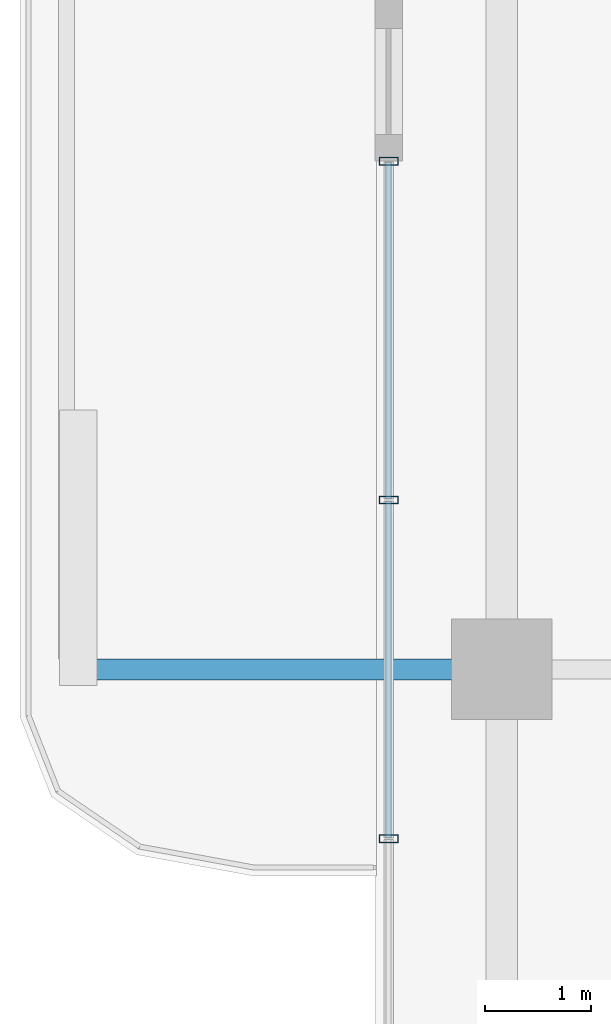
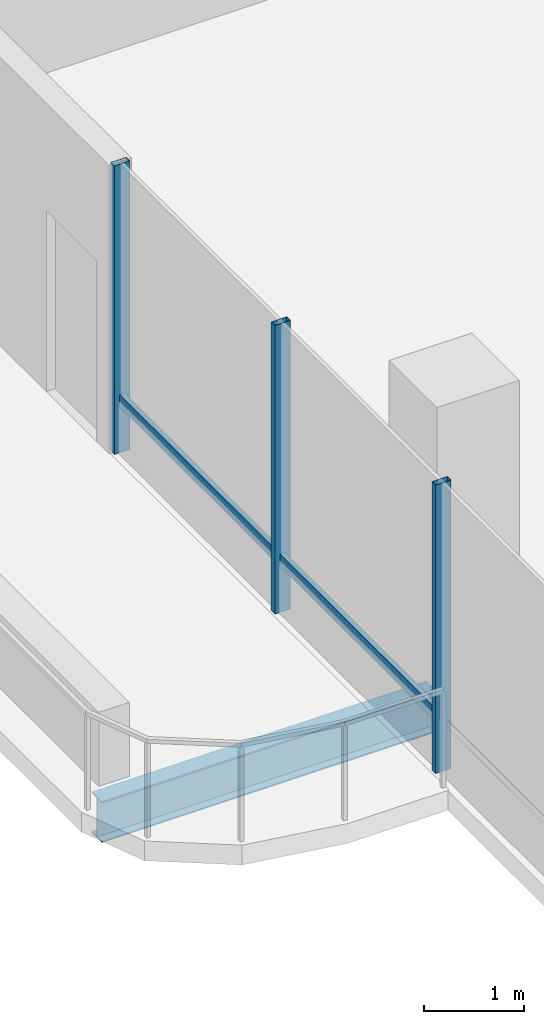
# One storey, part 6 of 17: 5 members, 1 beam, 1 element without a shape of its own.
"""IFC4 building model written with IfcOpenShell, lengths in metres."""

from ifc_helpers import new_model, si_unit, direction, frame, origin, origin_2d, place, context, subcontext, project, spatial, hollow_rectangle, i_section, extrude, material, layer, layer_set, material_profile, profile_set, type_object, element, aggregate, save


model = new_model("IFC4")

# Units and contexts
model_context = context("Model", 3, precision=1e-05, world=origin(), true_north=direction((0.0, 1.0)))
body_context = subcontext(model_context, "Body", "Model", "MODEL_VIEW")
ifc_project = project(units=[si_unit("LENGTHUNIT", "METRE"), si_unit("AREAUNIT", "SQUARE_METRE"), si_unit("VOLUMEUNIT", "CUBIC_METRE"), si_unit("PLANEANGLEUNIT", "RADIAN"), si_unit("MASSUNIT", "GRAM", prefix="KILO")], contexts=[model_context])

# Site, building, storey
site_placement = place(None, origin())
site = spatial("IfcSite", under=ifc_project, at=site_placement, CompositionType="ELEMENT")
building_placement = place(site_placement, origin())
building = spatial("IfcBuilding", under=site, at=building_placement, Name="Belovzor Exchange Tower", CompositionType="ELEMENT")
storey_placement = place(building_placement, frame((0.0, 0.0, 303.0)))
storey = spatial("IfcBuildingStorey", under=building, at=storey_placement, Name="L75", CompositionType="ELEMENT", Elevation=303.0)

# Beam
ifc_material_1 = material(Name="Steel S355", Category="steel")
ifc_material_profile_1 = material_profile(ifc_material_1, i_section(OverallWidth=0.199951171875, OverallDepth=0.5, WebThickness=0.01025390625, FlangeThickness=0.01611328125, at=origin_2d()))
ifc_profile_set_1 = profile_set([ifc_material_profile_1], Name="Steel S355")
beam_type = type_object("IfcBeamType", Name="Planted Balcony Cantilever Beam IPE 500", PredefinedType="BEAM", material=ifc_profile_set_1)
beam_placement = place(storey_placement, frame((6.93896484375, 28.800048828125, -0.489990234375), z_axis=(-1.0, 0.0, 0.0), x_axis=(0.0, -1.0, 0.0)))
element("IfcBeam", 1, at=beam_placement, inside=storey, type_object=beam_type, Name="BC-500 Planted Balcony Cantilever Beam IPE 500", PredefinedType="BEAM", context=body_context, shape_type="SweptSolid", body=[
    extrude(i_section(OverallWidth=0.199951171875, OverallDepth=0.5, WebThickness=0.01025390625, FlangeThickness=0.01611328125, at=origin_2d()), origin(), (0.0, 0.0, 1.0), 3.849853515625),
])

# Curtain wall, members
ifc_material_2 = material(Name="Anodised Aluminium Framing", Category="aluminium")
ifc_layer = layer(ifc_material_2, 0.179931640625)
ifc_layer_set = layer_set([ifc_layer], Name="Anodised Aluminium Framing")
curtain_wall_type = type_object("IfcCurtainWallType", Name="Recessed Loggia Low-Iron Triple-Glazed Curtain Wall", PredefinedType="NOTDEFINED", material=ifc_layer_set)
curtain_wall_placement = place(storey_placement, origin())
curtain_wall = element("IfcCurtainWall", 2, at=curtain_wall_placement, inside=storey, type_object=curtain_wall_type, Name="CW3 Recessed Loggia Low-Iron Triple-Glazed Curtain Wall L75", PredefinedType="NOTDEFINED")
ifc_material_3 = material(Name="Steel S355", Category="steel")
ifc_material_profile_2 = material_profile(ifc_material_3, hollow_rectangle(XDim=0.074951171875, YDim=0.179931640625, WallThickness=0.0048828125, at=origin_2d()))
ifc_profile_set_2 = profile_set([ifc_material_profile_2], Name="Steel S355")
member_type_1 = type_object("IfcMemberType", Name="Thermally Broken Curtain Wall Mullion 180x75", PredefinedType="MULLION", material=ifc_profile_set_2)
member_1_placement = place(storey_placement, frame((6.1298828125, 27.199951171875, 0.0), z_axis=(0.0, 0.0, 1.0), x_axis=(0.0, 1.0, 0.0)))
member_1 = element("IfcMember", 3, at=member_1_placement, type_object=member_type_1, Name="CW-M180 Curtain Wall Mullion 2", PredefinedType="MULLION", context=body_context, shape_type="SweptSolid", body=[
    extrude(hollow_rectangle(XDim=0.074951171875, YDim=0.179931640625, WallThickness=0.0048828125, at=origin_2d()), origin(), (0.0, 0.0, 1.0), 3.510009765625),
])
member_2_placement = place(storey_placement, frame((6.1298828125, 30.39990234375, 0.0), z_axis=(0.0, 0.0, 1.0), x_axis=(0.0, 1.0, 0.0)))
member_2 = element("IfcMember", 4, at=member_2_placement, type_object=member_type_1, Name="CW-M180 Curtain Wall Mullion 3", PredefinedType="MULLION", context=body_context, shape_type="SweptSolid", body=[
    extrude(hollow_rectangle(XDim=0.074951171875, YDim=0.179931640625, WallThickness=0.0048828125, at=origin_2d()), origin(), (0.0, 0.0, 1.0), 3.510009765625),
])
member_3_placement = place(storey_placement, frame((6.1298828125, 33.60009765625, 0.0), z_axis=(0.0, 0.0, 1.0), x_axis=(0.0, 1.0, 0.0)))
member_3 = element("IfcMember", 5, at=member_3_placement, type_object=member_type_1, Name="CW-M180 Curtain Wall Mullion 4", PredefinedType="MULLION", context=body_context, shape_type="SweptSolid", body=[
    extrude(hollow_rectangle(XDim=0.074951171875, YDim=0.179931640625, WallThickness=0.0048828125, at=origin_2d()), origin(), (0.0, 0.0, 1.0), 3.510009765625),
])
ifc_material_4 = material(Name="Steel S355", Category="steel")
ifc_material_profile_3 = material_profile(ifc_material_4, hollow_rectangle(XDim=0.06005859375, YDim=0.14990234375, WallThickness=0.00390625, at=origin_2d()))
ifc_profile_set_3 = profile_set([ifc_material_profile_3], Name="Steel S355")
member_type_2 = type_object("IfcMemberType", Name="Thermally Broken Curtain Wall Transom 150x60", PredefinedType="USERDEFINED", material=ifc_profile_set_3)
member_4_placement = place(storey_placement, frame((6.1298828125, 27.2080078125, 0.632080078125), z_axis=(0.0, 1.0, 0.0), x_axis=(-1.0, 0.0, 0.0)))
member_4 = element("IfcMember", 6, at=member_4_placement, type_object=member_type_2, Name="CW-T150 Curtain Wall Transom 2", ObjectType="TRANSOM", PredefinedType="USERDEFINED", context=body_context, shape_type="SweptSolid", body=[
    extrude(hollow_rectangle(XDim=0.06005859375, YDim=0.14990234375, WallThickness=0.00390625, at=origin_2d()), origin(), (0.0, 0.0, 1.0), 3.18408203125),
])
member_5_placement = place(storey_placement, frame((6.1298828125, 30.407958984375, 0.632080078125), z_axis=(0.0, 1.0, 0.0), x_axis=(-1.0, 0.0, 0.0)))
member_5 = element("IfcMember", 7, at=member_5_placement, type_object=member_type_2, Name="CW-T150 Curtain Wall Transom 3", ObjectType="TRANSOM", PredefinedType="USERDEFINED", context=body_context, shape_type="SweptSolid", body=[
    extrude(hollow_rectangle(XDim=0.06005859375, YDim=0.14990234375, WallThickness=0.00390625, at=origin_2d()), origin(), (0.0, 0.0, 1.0), 3.18408203125),
])
aggregate(curtain_wall, [member_1, member_2, member_3, member_4, member_5])

save(model, "model.ifc")
